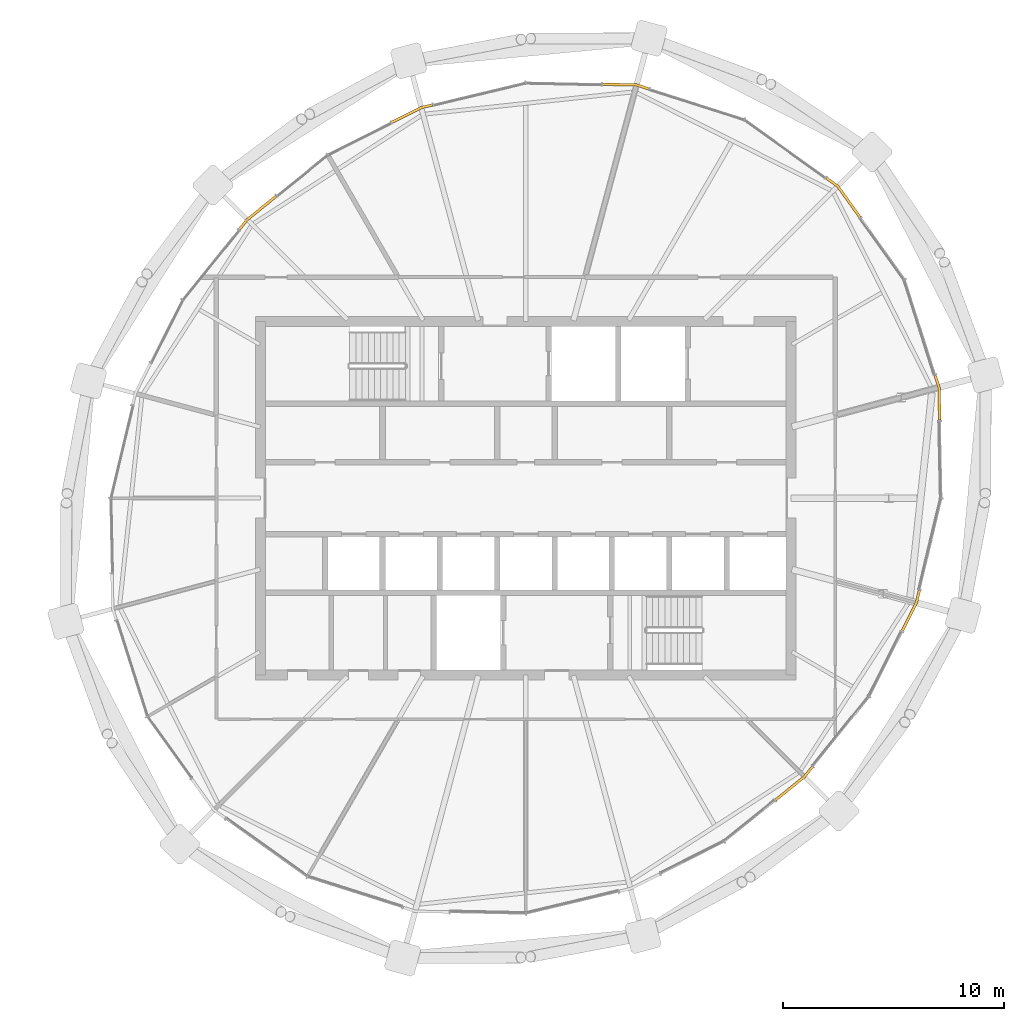
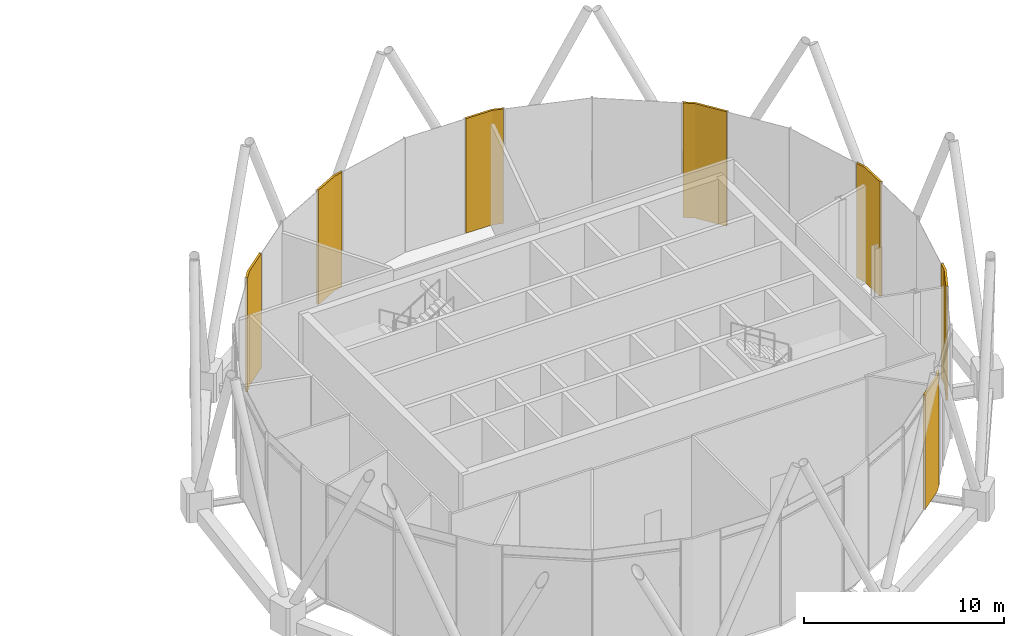
# One storey, part 28 of 28: 7 coverings.
"""IFC4 building model written with IfcOpenShell, lengths in metres."""

from ifc_helpers import new_model, si_unit, direction, frame, origin, place, context, subcontext, project, spatial, polyline, outline, extrude, material, layer, layer_set, type_object, element, save


model = new_model("IFC4")

# Units and contexts
model_context = context("Model", 3, precision=1e-05, world=origin(), true_north=direction((0.0, 1.0)))
body_context = subcontext(model_context, "Body", "Model", "MODEL_VIEW")
ifc_project = project(units=[si_unit("LENGTHUNIT", "METRE"), si_unit("AREAUNIT", "SQUARE_METRE"), si_unit("VOLUMEUNIT", "CUBIC_METRE"), si_unit("PLANEANGLEUNIT", "RADIAN"), si_unit("MASSUNIT", "GRAM", prefix="KILO")], contexts=[model_context])

# Site, building, storey
site_placement = place(None, origin())
site = spatial("IfcSite", under=ifc_project, at=site_placement, CompositionType="ELEMENT")
building_placement = place(site_placement, origin())
building = spatial("IfcBuilding", under=site, at=building_placement, Name="Rimbun Link Towers", CompositionType="ELEMENT")
storey_placement = place(building_placement, frame((0.0, 0.0, 256.10009765625)))
storey = spatial("IfcBuildingStorey", under=building, at=storey_placement, Name="L63", CompositionType="ELEMENT", Elevation=256.10009765625)

# Coverings
ifc_material = material(Name="Terracotta", Category="masonry")
ifc_layer = layer(ifc_material, 0.1201171875)
ifc_layer_set = layer_set([ifc_layer], Name="LINK PIER terracotta cladding 120")
covering_type = type_object("IfcCoveringType", Name="LINK PIER terracotta cladding 120", PredefinedType="CLADDING", material=ifc_layer_set)
covering_1_placement = place(storey_placement, origin())
element("IfcCovering", 1, at=covering_1_placement, inside=storey, type_object=covering_type, Name="LINK PIER cladding", PredefinedType="CLADDING", context=body_context, shape_type="SweptSolid", body=[
    extrude(outline(polyline([(45.31494140625, 14.43017578125), (45.818603515625, 14.068603515625), (46.8212890625, 12.671142578125), (46.9189453125, 12.7412109375), (45.904541015625, 14.154541015625), (45.384765625, 14.527587890625), (45.31494140625, 14.43017578125)])), origin(), (0.0, 0.0, 1.0), 7.0),
])
covering_2_placement = place(storey_placement, origin())
element("IfcCovering", 2, at=covering_2_placement, inside=storey, type_object=covering_type, Name="LINK PIER cladding", PredefinedType="CLADDING", context=body_context, shape_type="SweptSolid", body=[
    extrude(outline(polyline([(35.223388671875, 18.666748046875), (36.7431640625, 18.634765625), (37.286376953125, 18.4619140625), (37.32275390625, 18.576416015625), (36.762939453125, 18.75439453125), (35.22607421875, 18.78662109375), (35.223388671875, 18.666748046875)])), origin(), (0.0, 0.0, 1.0), 7.0),
])
covering_3_placement = place(storey_placement, origin())
element("IfcCovering", 3, at=covering_3_placement, inside=storey, type_object=covering_type, Name="LINK PIER cladding", PredefinedType="CLADDING", context=body_context, shape_type="SweptSolid", body=[
    extrude(outline(polyline([(25.717529296875, 16.95166015625), (27.031005859375, 17.611328125), (27.536865234375, 17.732177734375), (27.509033203125, 17.848876953125), (26.98974609375, 17.724853515625), (25.66357421875, 17.058837890625), (25.717529296875, 16.95166015625)])), origin(), (0.0, 0.0, 1.0), 7.0),
])
covering_4_placement = place(storey_placement, origin())
element("IfcCovering", 4, at=covering_4_placement, inside=storey, type_object=covering_type, Name="LINK PIER cladding", PredefinedType="CLADDING", context=body_context, shape_type="SweptSolid", body=[
    extrude(outline(polyline([(18.830078125, 12.1181640625), (19.188720703125, 12.561279296875), (20.48681640625, 13.612060546875), (20.411376953125, 13.705322265625), (19.103271484375, 12.646728515625), (18.73681640625, 12.19384765625), (18.830078125, 12.1181640625)])), origin(), (0.0, 0.0, 1.0), 7.0),
])
covering_5_placement = place(storey_placement, origin())
element("IfcCovering", 5, at=covering_5_placement, inside=storey, type_object=covering_type, Name="LINK PIER cladding", PredefinedType="CLADDING", context=body_context, shape_type="SweptSolid", body=[
    extrude(outline(polyline([(44.669921875, -12.1181640625), (44.311279296875, -12.561279296875), (43.01318359375, -13.612060546875), (43.088623046875, -13.705322265625), (44.396728515625, -12.646728515625), (44.76318359375, -12.19384765625), (44.669921875, -12.1181640625)])), origin(), (0.0, 0.0, 1.0), 7.0),
])
covering_6_placement = place(storey_placement, origin())
element("IfcCovering", 6, at=covering_6_placement, inside=storey, type_object=covering_type, Name="LINK PIER cladding", PredefinedType="CLADDING", context=body_context, shape_type="SweptSolid", body=[
    extrude(outline(polyline([(49.493896484375, -4.16455078125), (49.361328125, -4.718994140625), (48.72412109375, -5.98779296875), (48.831298828125, -6.041748046875), (49.474853515625, -4.76025390625), (49.610595703125, -4.1923828125), (49.493896484375, -4.16455078125)])), origin(), (0.0, 0.0, 1.0), 7.0),
])
covering_7_placement = place(storey_placement, origin())
element("IfcCovering", 7, at=covering_7_placement, inside=storey, type_object=covering_type, Name="LINK PIER cladding", PredefinedType="CLADDING", context=body_context, shape_type="SweptSolid", body=[
    extrude(outline(polyline([(50.2119140625, 5.536376953125), (50.384765625, 4.9931640625), (50.415771484375, 3.5234375), (50.53564453125, 3.52587890625), (50.50439453125, 5.012939453125), (50.326416015625, 5.57275390625), (50.2119140625, 5.536376953125)])), origin(), (0.0, 0.0, 1.0), 7.0),
])

save(model, "model.ifc")
